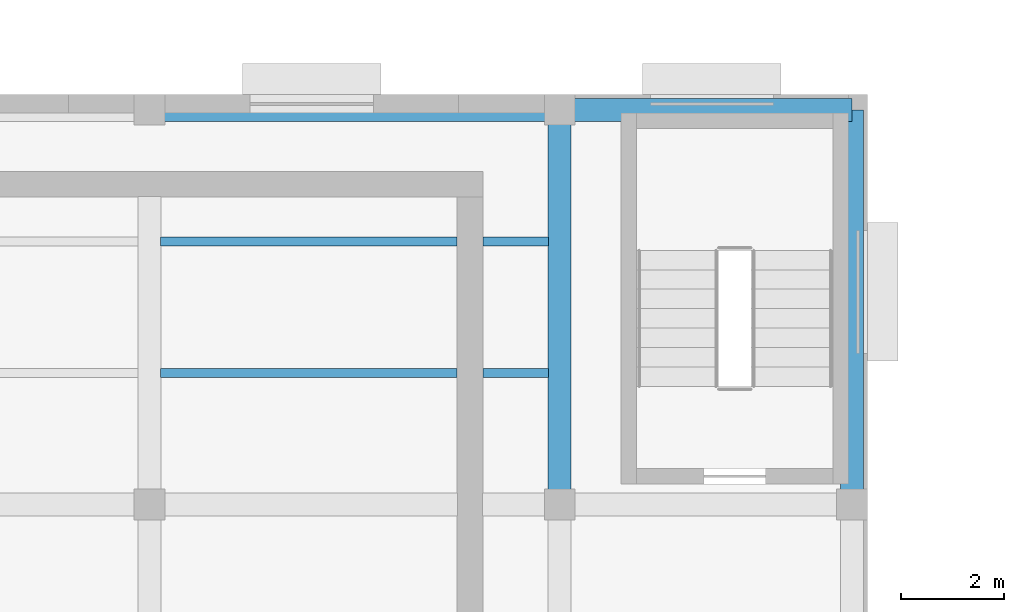
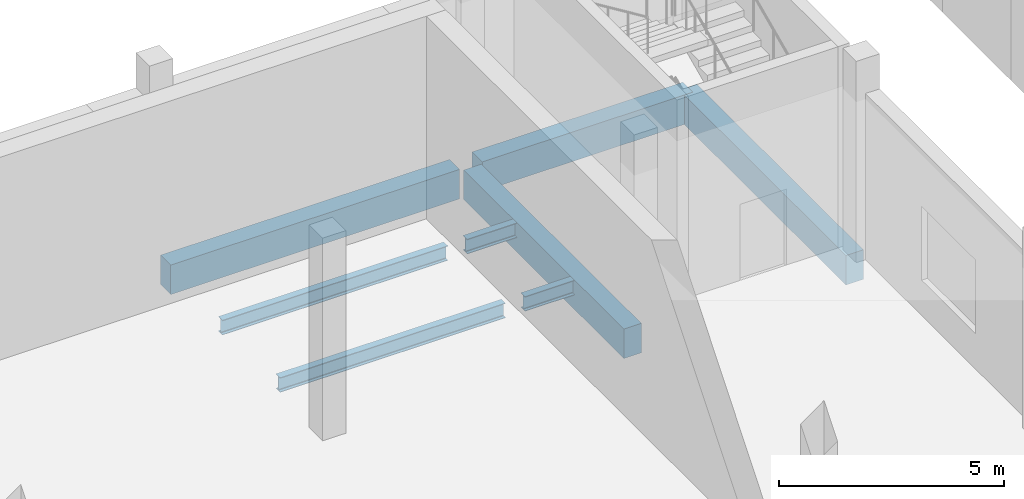
# One storey, part 21 of 112: 8 beams.
"""IFC4 building model written with IfcOpenShell, lengths in metres."""

from ifc_helpers import new_model, si_unit, direction, frame, origin, origin_2d, place, context, subcontext, project, spatial, rectangle, i_section, extrude, material, material_profile, profile_set, type_object, element, save


model = new_model("IFC4")

# Units and contexts
model_context = context("Model", 3, precision=1e-05, world=origin(), true_north=direction((0.0, 1.0)))
body_context = subcontext(model_context, "Body", "Model", "MODEL_VIEW")
ifc_project = project(units=[si_unit("LENGTHUNIT", "METRE"), si_unit("AREAUNIT", "SQUARE_METRE"), si_unit("VOLUMEUNIT", "CUBIC_METRE"), si_unit("PLANEANGLEUNIT", "RADIAN"), si_unit("MASSUNIT", "GRAM", prefix="KILO")], contexts=[model_context])

# Site, building, storey
site_placement = place(None, origin())
site = spatial("IfcSite", under=ifc_project, at=site_placement, CompositionType="ELEMENT")
building_placement = place(site_placement, origin())
building = spatial("IfcBuilding", under=site, at=building_placement, Name="Lunette Opera House", CompositionType="ELEMENT")
storey_placement = place(building_placement, frame((0.0, 0.0, 6.0)))
storey = spatial("IfcBuildingStorey", under=building, at=storey_placement, Name="L01", CompositionType="ELEMENT", Elevation=6.0)

# Beams
ifc_material_1 = material(Name="Concrete C35/45", Category="concrete")
ifc_material_profile_1 = material_profile(ifc_material_1, rectangle(XDim=0.449951171875, YDim=0.800048828125, at=origin_2d()), Name="RC BEAM 450X800")
ifc_profile_set_1 = profile_set([ifc_material_profile_1], Name="Concrete C35/45")
beam_type_1 = type_object("IfcBeamType", Name="RC BEAM 450X800", PredefinedType="BEAM", material=ifc_profile_set_1)
beam_1_placement = place(storey_placement, frame((48.0, 104.2900390625, -0.550048828125), z_axis=(0.0, 1.0, 0.0), x_axis=(-1.0, 0.0, 0.0)))
element("IfcBeam", 1, at=beam_1_placement, inside=storey, type_object=beam_type_1, Name="beam-RW-L01-L01-GY55", PredefinedType="BEAM", context=body_context, shape_type="SweptSolid", body=[
    extrude(rectangle(XDim=0.449951171875, YDim=0.800048828125, at=origin_2d()), origin(), (0.0, 0.0, 1.0), 7.119873046875),
])
beam_2_placement = place(storey_placement, frame((53.699951171875, 104.2900390625, -0.550048828125), z_axis=(0.0, 1.0, 0.0), x_axis=(-1.0, 0.0, 0.0)))
element("IfcBeam", 2, at=beam_2_placement, inside=storey, type_object=beam_type_1, Name="beam-RW-L01-L01-GY65", PredefinedType="BEAM", context=body_context, shape_type="SweptSolid", body=[
    extrude(rectangle(XDim=0.449951171875, YDim=0.800048828125, at=origin_2d()), origin(), (0.0, 0.0, 1.0), 7.409912109375),
])
beam_3_placement = place(storey_placement, frame((40.2900390625, 111.699951171875, -0.550048828125), z_axis=(1.0, 0.0, 0.0), x_axis=(0.0, 1.0, 0.0)))
element("IfcBeam", 3, at=beam_3_placement, inside=storey, type_object=beam_type_1, Name="beam-RW-L01-L01-GX46", PredefinedType="BEAM", context=body_context, shape_type="SweptSolid", body=[
    extrude(rectangle(XDim=0.449951171875, YDim=0.800048828125, at=origin_2d()), origin(), (0.0, 0.0, 1.0), 7.419921875),
])
beam_4_placement = place(storey_placement, frame((48.2900390625, 111.699951171875, -0.550048828125), z_axis=(1.0, 0.0, 0.0), x_axis=(0.0, 1.0, 0.0)))
element("IfcBeam", 4, at=beam_4_placement, inside=storey, type_object=beam_type_1, Name="beam-RW-L01-L01-GX56", PredefinedType="BEAM", context=body_context, shape_type="SweptSolid", body=[
    extrude(rectangle(XDim=0.449951171875, YDim=0.800048828125, at=origin_2d()), origin(), (0.0, 0.0, 1.0), 5.409912109375),
])
ifc_material_2 = material(Name="Steel S355", Category="steel")
ifc_material_profile_2 = material_profile(ifc_material_2, i_section(OverallWidth=0.179931640625, OverallDepth=0.39990234375, WebThickness=0.008544921875, FlangeThickness=0.013427734375, FilletRadius=0.02099609375, at=origin_2d()), Name="IPE 400")
ifc_profile_set_2 = profile_set([ifc_material_profile_2], Name="Steel S355")
beam_type_2 = type_object("IfcBeamType", Name="STEEL BEAM IPE 400", PredefinedType="BEAM", material=ifc_profile_set_2)
beam_5_placement = place(storey_placement, frame((40.215087890625, 106.56689453125, -0.35009765625), z_axis=(1.0, 0.0, 0.0), x_axis=(0.0, 1.0, 0.0)))
element("IfcBeam", 5, at=beam_5_placement, inside=storey, type_object=beam_type_2, Name="beam-RW-L01-L01-SX451", PredefinedType="BEAM", context=body_context, shape_type="SweptSolid", body=[
    extrude(i_section(OverallWidth=0.179931640625, OverallDepth=0.39990234375, WebThickness=0.008544921875, FlangeThickness=0.013427734375, FilletRadius=0.02099609375, at=origin_2d()), origin(), (0.0, 0.0, 1.0), 5.784912109375),
])
beam_6_placement = place(storey_placement, frame((46.5, 106.56689453125, -0.35009765625), z_axis=(1.0, 0.0, 0.0), x_axis=(0.0, 1.0, 0.0)))
element("IfcBeam", 6, at=beam_6_placement, inside=storey, type_object=beam_type_2, Name="beam-RW-L01-L01-SX451-01", PredefinedType="BEAM", context=body_context, shape_type="SweptSolid", body=[
    extrude(i_section(OverallWidth=0.179931640625, OverallDepth=0.39990234375, WebThickness=0.008544921875, FlangeThickness=0.013427734375, FilletRadius=0.02099609375, at=origin_2d()), origin(), (0.0, 0.0, 1.0), 1.284912109375),
])
beam_7_placement = place(storey_placement, frame((40.215087890625, 109.133056640625, -0.35009765625), z_axis=(1.0, 0.0, 0.0), x_axis=(0.0, 1.0, 0.0)))
element("IfcBeam", 7, at=beam_7_placement, inside=storey, type_object=beam_type_2, Name="beam-RW-L01-L01-SX452", PredefinedType="BEAM", context=body_context, shape_type="SweptSolid", body=[
    extrude(i_section(OverallWidth=0.179931640625, OverallDepth=0.39990234375, WebThickness=0.008544921875, FlangeThickness=0.013427734375, FilletRadius=0.02099609375, at=origin_2d()), origin(), (0.0, 0.0, 1.0), 5.784912109375),
])
beam_8_placement = place(storey_placement, frame((46.5, 109.133056640625, -0.35009765625), z_axis=(1.0, 0.0, 0.0), x_axis=(0.0, 1.0, 0.0)))
element("IfcBeam", 8, at=beam_8_placement, inside=storey, type_object=beam_type_2, Name="beam-RW-L01-L01-SX452-01", PredefinedType="BEAM", context=body_context, shape_type="SweptSolid", body=[
    extrude(i_section(OverallWidth=0.179931640625, OverallDepth=0.39990234375, WebThickness=0.008544921875, FlangeThickness=0.013427734375, FilletRadius=0.02099609375, at=origin_2d()), origin(), (0.0, 0.0, 1.0), 1.284912109375),
])

save(model, "model.ifc")
